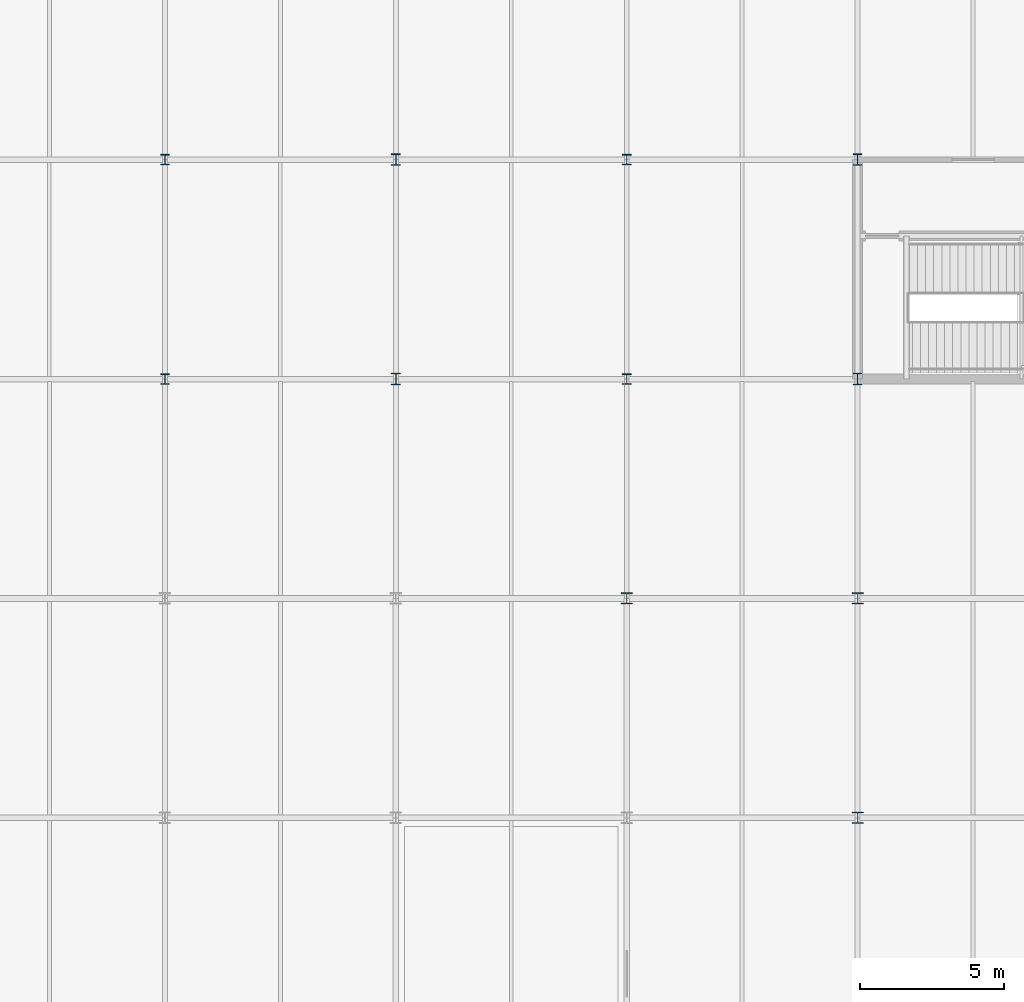
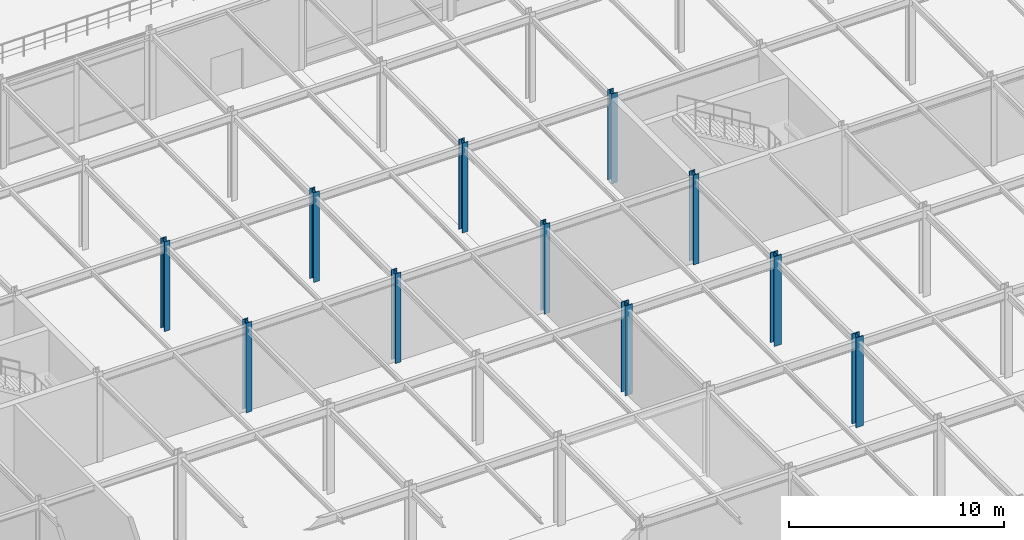
# One storey, part 4 of 79: 11 columns.
"""IFC4 building model written with IfcOpenShell, lengths in metres."""

from ifc_helpers import new_model, si_unit, direction, frame, origin, origin_2d, place, context, subcontext, project, spatial, i_section, extrude, material, material_profile, profile_set, type_object, element, save


model = new_model("IFC4")

# Units and contexts
model_context = context("Model", 3, precision=1e-05, world=origin(), true_north=direction((0.0, 1.0)))
body_context = subcontext(model_context, "Body", "Model", "MODEL_VIEW")
ifc_project = project(units=[si_unit("LENGTHUNIT", "METRE"), si_unit("AREAUNIT", "SQUARE_METRE"), si_unit("VOLUMEUNIT", "CUBIC_METRE"), si_unit("PLANEANGLEUNIT", "RADIAN"), si_unit("MASSUNIT", "GRAM", prefix="KILO")], contexts=[model_context])

# Site, building, storey
site_placement = place(None, origin())
site = spatial("IfcSite", under=ifc_project, at=site_placement, CompositionType="ELEMENT")
building_placement = place(site_placement, origin())
building = spatial("IfcBuilding", under=site, at=building_placement, Name="Shalkamar Park Central Library", CompositionType="ELEMENT")
storey_placement = place(building_placement, frame((0.0, 0.0, 10.5)))
storey = spatial("IfcBuildingStorey", under=building, at=storey_placement, Name="L03", CompositionType="ELEMENT", Elevation=10.5)

# Columns
ifc_material = material(Name="Steel S355", Category="steel")
ifc_material_profile_1 = material_profile(ifc_material, i_section(OverallWidth=0.40087890625, OverallDepth=0.39892578125, WebThickness=0.02490234375, FlangeThickness=0.03955078125, FilletRadius=0.014892578125, at=origin_2d()), Name="HD 400x314")
ifc_profile_set_1 = profile_set([ifc_material_profile_1], Name="Steel S355")
column_type_1 = type_object("IfcColumnType", Name="Column Steel HD400x314", PredefinedType="COLUMN", material=ifc_profile_set_1)
for number, where, z_axis, x_axis, name in (
    (1, (189.0, 293.199951171875, 0.0), (0.0, 0.0, 1.0), (1.0, 0.0, 0.0), "Column 10/H (L03)"),
    (2, (197.0, 285.60009765625, 0.0), (0.0, 0.0, 1.0), (1.0, 0.0, 0.0), "Column 11/G (L03)"),
    (3, (197.0, 293.199951171875, 0.0), (0.0, 0.0, 1.0), (1.0, 0.0, 0.0), "Column 11/H (L03)"),
):
    element("IfcColumn", number, at=place(storey_placement, frame(where, z_axis=z_axis, x_axis=x_axis)), inside=storey, type_object=column_type_1, Name=name, PredefinedType="COLUMN", context=body_context, shape_type="SweptSolid", body=[
        extrude(i_section(OverallWidth=0.40087890625, OverallDepth=0.39892578125, WebThickness=0.02490234375, FlangeThickness=0.03955078125, FilletRadius=0.014892578125, at=origin_2d()), origin(), (0.0, 0.0, 1.0), 5.10009765625),
    ])
ifc_material_profile_2 = material_profile(ifc_material, i_section(OverallWidth=0.300048828125, OverallDepth=0.360107421875, WebThickness=0.012451171875, FlangeThickness=0.0224609375, FilletRadius=0.027099609375, at=origin_2d()), Name="HEB 360")
ifc_profile_set_2 = profile_set([ifc_material_profile_2], Name="Steel S355")
column_type_2 = type_object("IfcColumnType", Name="Column Steel HEB360", PredefinedType="COLUMN", material=ifc_profile_set_2)
for number, where, z_axis, x_axis, name in (
    (4, (173.0, 300.800048828125, 0.0), (0.0, 0.0, 1.0), (1.0, 0.0, 0.0), "Column 08/J (L03)"),
    (5, (173.0, 308.39990234375, 0.0), (0.0, 0.0, 1.0), (1.0, 0.0, 0.0), "Column 08/K (L03)"),
    (6, (189.0, 300.800048828125, 0.0), (0.0, 0.0, 1.0), (1.0, 0.0, 0.0), "Column 10/J (L03)"),
    (7, (189.0, 308.39990234375, 0.0), (0.0, 0.0, 1.0), (1.0, 0.0, 0.0), "Column 10/K (L03)"),
):
    element("IfcColumn", number, at=place(storey_placement, frame(where, z_axis=z_axis, x_axis=x_axis)), inside=storey, type_object=column_type_2, Name=name, PredefinedType="COLUMN", context=body_context, shape_type="SweptSolid", body=[
        extrude(i_section(OverallWidth=0.300048828125, OverallDepth=0.360107421875, WebThickness=0.012451171875, FlangeThickness=0.0224609375, FilletRadius=0.027099609375, at=origin_2d()), origin(), (0.0, 0.0, 1.0), 5.10009765625),
    ])
ifc_material_profile_3 = material_profile(ifc_material, i_section(OverallWidth=0.300048828125, OverallDepth=0.39990234375, WebThickness=0.013427734375, FlangeThickness=0.02392578125, FilletRadius=0.027099609375, at=origin_2d()), Name="HEB 400")
ifc_profile_set_3 = profile_set([ifc_material_profile_3], Name="Steel S355")
column_type_3 = type_object("IfcColumnType", Name="Column Steel HEB400", PredefinedType="COLUMN", material=ifc_profile_set_3)
for number, where, z_axis, x_axis, name in (
    (8, (181.0, 300.800048828125, 0.0), (0.0, 0.0, 1.0), (1.0, 0.0, 0.0), "Column 09/J (L03)"),
    (9, (181.0, 308.39990234375, 0.0), (0.0, 0.0, 1.0), (1.0, 0.0, 0.0), "Column 09/K (L03)"),
    (10, (197.0, 300.800048828125, 0.0), (0.0, 0.0, 1.0), (1.0, 0.0, 0.0), "Column 11/J (L03)"),
    (11, (197.0, 308.39990234375, 0.0), (0.0, 0.0, 1.0), (1.0, 0.0, 0.0), "Column 11/K (L03)"),
):
    element("IfcColumn", number, at=place(storey_placement, frame(where, z_axis=z_axis, x_axis=x_axis)), inside=storey, type_object=column_type_3, Name=name, PredefinedType="COLUMN", context=body_context, shape_type="SweptSolid", body=[
        extrude(i_section(OverallWidth=0.300048828125, OverallDepth=0.39990234375, WebThickness=0.013427734375, FlangeThickness=0.02392578125, FilletRadius=0.027099609375, at=origin_2d()), origin(), (0.0, 0.0, 1.0), 5.10009765625),
    ])

save(model, "model.ifc")
